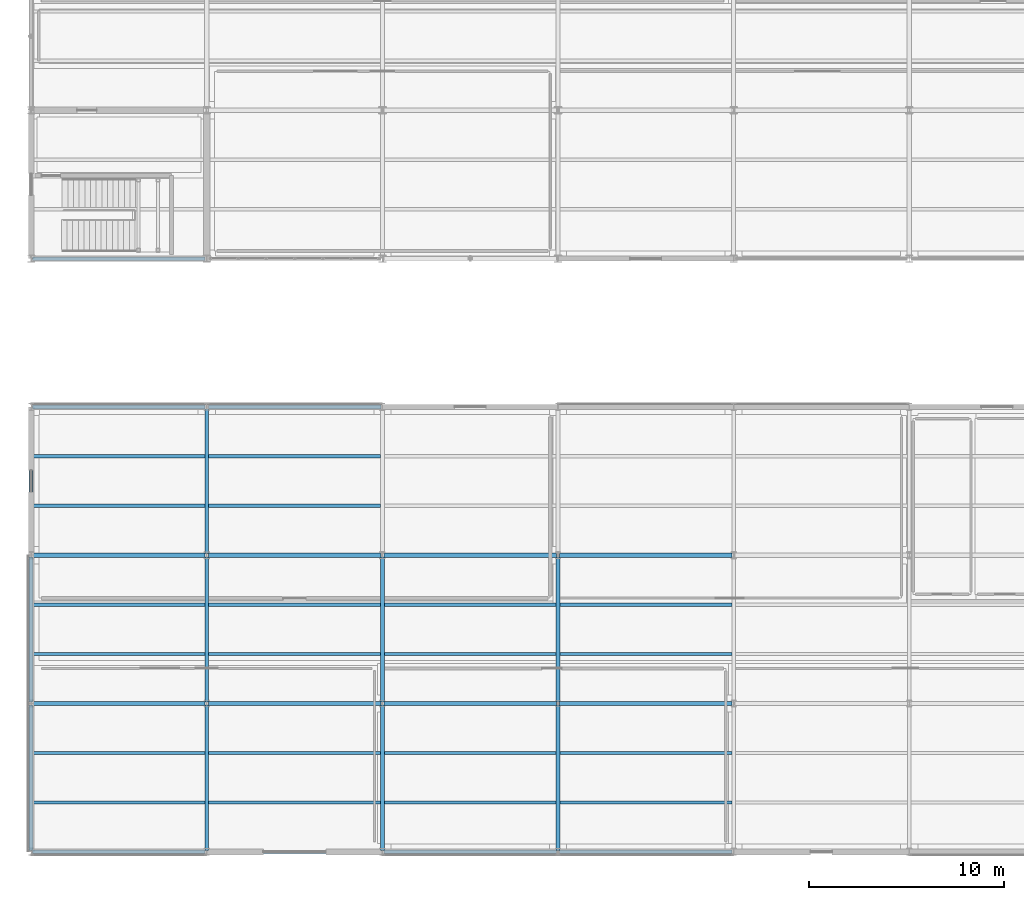
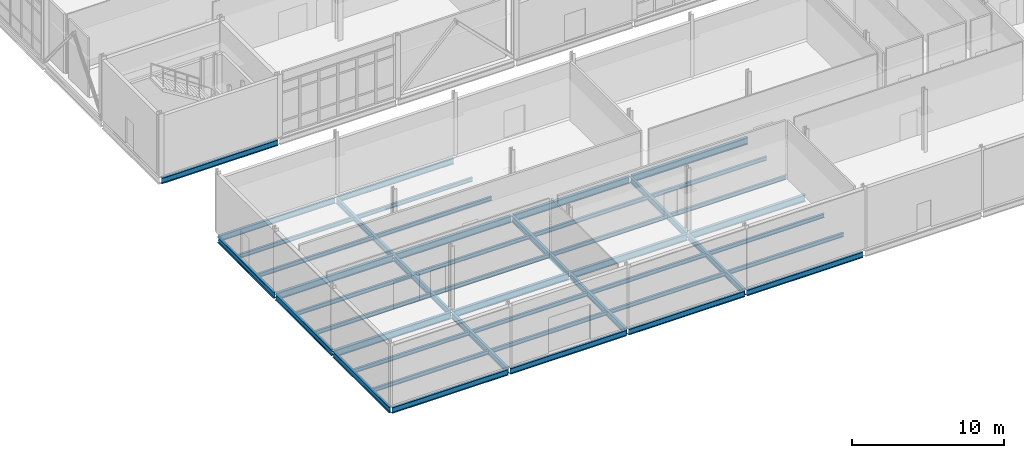
# One storey, part 31 of 161: 45 beams.
"""IFC4 building model written with IfcOpenShell, lengths in metres."""

from ifc_helpers import new_model, si_unit, direction, frame, origin, origin_2d, place, context, subcontext, project, spatial, i_section, extrude, material, material_profile, profile_set, type_object, element, save


model = new_model("IFC4")

# Units and contexts
model_context = context("Model", 3, precision=1e-05, world=origin(), true_north=direction((0.0, 1.0)))
body_context = subcontext(model_context, "Body", "Model", "MODEL_VIEW")
ifc_project = project(units=[si_unit("LENGTHUNIT", "METRE"), si_unit("AREAUNIT", "SQUARE_METRE"), si_unit("VOLUMEUNIT", "CUBIC_METRE"), si_unit("PLANEANGLEUNIT", "RADIAN"), si_unit("MASSUNIT", "GRAM", prefix="KILO")], contexts=[model_context])

# Site, building, storey
site_placement = place(None, origin())
site = spatial("IfcSite", under=ifc_project, at=site_placement, CompositionType="ELEMENT")
building_placement = place(site_placement, origin())
building = spatial("IfcBuilding", under=site, at=building_placement, Name="Caisbarro Railhouse Central Library", CompositionType="ELEMENT")
storey_placement = place(building_placement, origin())
storey = spatial("IfcBuildingStorey", under=building, at=storey_placement, Name="L00", CompositionType="ELEMENT", Elevation=0.0)

# Beams
ifc_material = material(Name="Steel ASTM A572 Grade 50", Category="steel")
ifc_material_profile_1 = material_profile(ifc_material, i_section(OverallWidth=0.2119140625, OverallDepth=0.5439453125, WebThickness=0.01318359375, FlangeThickness=0.021240234375, FilletRadius=0.02001953125, at=origin_2d()), Name="W530X123.0")
ifc_profile_set_1 = profile_set([ifc_material_profile_1], Name="Steel ASTM A572 Grade 50")
beam_type_1 = type_object("IfcBeamType", Name="BM-G05", PredefinedType="BEAM", material=ifc_profile_set_1)
for number, where, z_axis, x_axis, name in (
    (1, (0.080078125, 7.60009765625, -0.552001953125), (1.0, 0.0, 0.0), (0.0, 1.0, 0.0), "G05 beam L00 #75"),
    (2, (9.080078125, 7.60009765625, -0.552001953125), (1.0, 0.0, 0.0), (0.0, 1.0, 0.0), "G05 beam L00 #76"),
    (3, (18.080078125, 7.60009765625, -0.552001953125), (1.0, 0.0, 0.0), (0.0, 1.0, 0.0), "G05 beam L00 #77"),
    (4, (27.080078125, 7.60009765625, -0.552001953125), (1.0, 0.0, 0.0), (0.0, 1.0, 0.0), "G05 beam L00 #78"),
    (5, (0.080078125, 15.199951171875, -0.552001953125), (1.0, 0.0, 0.0), (0.0, 1.0, 0.0), "G05 beam L00 #81"),
    (6, (9.080078125, 15.199951171875, -0.552001953125), (1.0, 0.0, 0.0), (0.0, 1.0, 0.0), "G05 beam L00 #82"),
    (7, (18.080078125, 15.199951171875, -0.552001953125), (1.0, 0.0, 0.0), (0.0, 1.0, 0.0), "G05 beam L00 #83"),
    (8, (27.080078125, 15.199951171875, -0.552001953125), (1.0, 0.0, 0.0), (0.0, 1.0, 0.0), "G05 beam L00 #84"),
):
    element("IfcBeam", number, at=place(storey_placement, frame(where, z_axis=z_axis, x_axis=x_axis)), inside=storey, type_object=beam_type_1, Name=name, PredefinedType="BEAM", context=body_context, shape_type="SweptSolid", body=[
        extrude(i_section(OverallWidth=0.2119140625, OverallDepth=0.5439453125, WebThickness=0.01318359375, FlangeThickness=0.021240234375, FilletRadius=0.02001953125, at=origin_2d()), origin(), (0.0, 0.0, 1.0), 8.83984375),
    ])
ifc_material_profile_2 = material_profile(ifc_material, i_section(OverallWidth=0.194091796875, OverallDepth=0.468994140625, WebThickness=0.0126953125, FlangeThickness=0.0205078125, FilletRadius=0.01806640625, at=origin_2d()), Name="W460X106.0")
ifc_profile_set_2 = profile_set([ifc_material_profile_2], Name="Steel ASTM A572 Grade 50")
beam_type_2 = type_object("IfcBeamType", Name="BM-G07", PredefinedType="BEAM", material=ifc_profile_set_2)
beam_1_placement = place(storey_placement, frame((0.0, 0.080078125, -0.514404296875), z_axis=(0.0, 1.0, 0.0), x_axis=(-1.0, 0.0, 0.0)))
element("IfcBeam", 9, at=beam_1_placement, inside=storey, type_object=beam_type_2, Name="G07 beam L00 #93", PredefinedType="BEAM", context=body_context, shape_type="SweptSolid", body=[
    extrude(i_section(OverallWidth=0.194091796875, OverallDepth=0.468994140625, WebThickness=0.0126953125, FlangeThickness=0.0205078125, FilletRadius=0.01806640625, at=origin_2d()), origin(), (0.0, 0.0, 1.0), 7.43994140625),
])
beam_2_placement = place(storey_placement, frame((0.0, 7.679931640625, -0.514404296875), z_axis=(0.0, 1.0, 0.0), x_axis=(-1.0, 0.0, 0.0)))
element("IfcBeam", 10, at=beam_2_placement, inside=storey, type_object=beam_type_2, Name="G07 beam L00 #94", PredefinedType="BEAM", context=body_context, shape_type="SweptSolid", body=[
    extrude(i_section(OverallWidth=0.194091796875, OverallDepth=0.468994140625, WebThickness=0.0126953125, FlangeThickness=0.0205078125, FilletRadius=0.01806640625, at=origin_2d()), origin(), (0.0, 0.0, 1.0), 7.440185546875),
])
for number, where, z_axis, x_axis, name in (
    (11, (0.0, 15.280029296875, -0.514404296875), (0.0, 1.0, 0.0), (-1.0, 0.0, 0.0), "G07 beam L00 #95"),
    (12, (9.0, 0.080078125, -0.514404296875), (0.0, 1.0, 0.0), (-1.0, 0.0, 0.0), "G07 beam L00 #96"),
):
    element("IfcBeam", number, at=place(storey_placement, frame(where, z_axis=z_axis, x_axis=x_axis)), inside=storey, type_object=beam_type_2, Name=name, PredefinedType="BEAM", context=body_context, shape_type="SweptSolid", body=[
        extrude(i_section(OverallWidth=0.194091796875, OverallDepth=0.468994140625, WebThickness=0.0126953125, FlangeThickness=0.0205078125, FilletRadius=0.01806640625, at=origin_2d()), origin(), (0.0, 0.0, 1.0), 7.43994140625),
    ])
beam_3_placement = place(storey_placement, frame((9.0, 7.679931640625, -0.514404296875), z_axis=(0.0, 1.0, 0.0), x_axis=(-1.0, 0.0, 0.0)))
element("IfcBeam", 13, at=beam_3_placement, inside=storey, type_object=beam_type_2, Name="G07 beam L00 #97", PredefinedType="BEAM", context=body_context, shape_type="SweptSolid", body=[
    extrude(i_section(OverallWidth=0.194091796875, OverallDepth=0.468994140625, WebThickness=0.0126953125, FlangeThickness=0.0205078125, FilletRadius=0.01806640625, at=origin_2d()), origin(), (0.0, 0.0, 1.0), 7.440185546875),
])
for number, where, z_axis, x_axis, name in (
    (14, (9.0, 15.280029296875, -0.514404296875), (0.0, 1.0, 0.0), (-1.0, 0.0, 0.0), "G07 beam L00 #98"),
    (15, (18.0, 0.080078125, -0.514404296875), (0.0, 1.0, 0.0), (-1.0, 0.0, 0.0), "G07 beam L00 #99"),
):
    element("IfcBeam", number, at=place(storey_placement, frame(where, z_axis=z_axis, x_axis=x_axis)), inside=storey, type_object=beam_type_2, Name=name, PredefinedType="BEAM", context=body_context, shape_type="SweptSolid", body=[
        extrude(i_section(OverallWidth=0.194091796875, OverallDepth=0.468994140625, WebThickness=0.0126953125, FlangeThickness=0.0205078125, FilletRadius=0.01806640625, at=origin_2d()), origin(), (0.0, 0.0, 1.0), 7.43994140625),
    ])
beam_4_placement = place(storey_placement, frame((18.0, 7.679931640625, -0.514404296875), z_axis=(0.0, 1.0, 0.0), x_axis=(-1.0, 0.0, 0.0)))
element("IfcBeam", 16, at=beam_4_placement, inside=storey, type_object=beam_type_2, Name="G07 beam L00 #100", PredefinedType="BEAM", context=body_context, shape_type="SweptSolid", body=[
    extrude(i_section(OverallWidth=0.194091796875, OverallDepth=0.468994140625, WebThickness=0.0126953125, FlangeThickness=0.0205078125, FilletRadius=0.01806640625, at=origin_2d()), origin(), (0.0, 0.0, 1.0), 7.440185546875),
])
beam_5_placement = place(storey_placement, frame((27.0, 0.080078125, -0.514404296875), z_axis=(0.0, 1.0, 0.0), x_axis=(-1.0, 0.0, 0.0)))
element("IfcBeam", 17, at=beam_5_placement, inside=storey, type_object=beam_type_2, Name="G07 beam L00 #102", PredefinedType="BEAM", context=body_context, shape_type="SweptSolid", body=[
    extrude(i_section(OverallWidth=0.194091796875, OverallDepth=0.468994140625, WebThickness=0.0126953125, FlangeThickness=0.0205078125, FilletRadius=0.01806640625, at=origin_2d()), origin(), (0.0, 0.0, 1.0), 7.43994140625),
])
beam_6_placement = place(storey_placement, frame((27.0, 7.679931640625, -0.514404296875), z_axis=(0.0, 1.0, 0.0), x_axis=(-1.0, 0.0, 0.0)))
element("IfcBeam", 18, at=beam_6_placement, inside=storey, type_object=beam_type_2, Name="G07 beam L00 #103", PredefinedType="BEAM", context=body_context, shape_type="SweptSolid", body=[
    extrude(i_section(OverallWidth=0.194091796875, OverallDepth=0.468994140625, WebThickness=0.0126953125, FlangeThickness=0.0205078125, FilletRadius=0.01806640625, at=origin_2d()), origin(), (0.0, 0.0, 1.0), 7.440185546875),
])
ifc_material_profile_3 = material_profile(ifc_material, i_section(OverallWidth=0.1669921875, OverallDepth=0.31689453125, WebThickness=0.007568359375, FlangeThickness=0.01318359375, FilletRadius=0.011962890625, at=origin_2d()), Name="W310X52.0")
ifc_profile_set_3 = profile_set([ifc_material_profile_3], Name="Steel ASTM A572 Grade 50")
beam_type_3 = type_object("IfcBeamType", Name="BM-J02", PredefinedType="JOIST", material=ifc_profile_set_3)
for number, where, z_axis, x_axis, name in (
    (19, (0.096923828125, 2.533203125, -0.4384765625), (1.0, 0.0, 0.0), (0.0, 1.0, 0.0), "J02 beam L00 #114"),
    (20, (0.096923828125, 5.066650390625, -0.4384765625), (1.0, 0.0, 0.0), (0.0, 1.0, 0.0), "J02 beam L00 #115"),
    (21, (0.096923828125, 10.13330078125, -0.4384765625), (1.0, 0.0, 0.0), (0.0, 1.0, 0.0), "J02 beam L00 #116"),
    (22, (0.096923828125, 12.666748046875, -0.4384765625), (1.0, 0.0, 0.0), (0.0, 1.0, 0.0), "J02 beam L00 #117"),
    (23, (0.096923828125, 17.7333984375, -0.4384765625), (1.0, 0.0, 0.0), (0.0, 1.0, 0.0), "J02 beam L00 #118"),
    (24, (0.096923828125, 20.2666015625, -0.4384765625), (1.0, 0.0, 0.0), (0.0, 1.0, 0.0), "J02 beam L00 #119"),
    (25, (9.096923828125, 2.533203125, -0.4384765625), (1.0, 0.0, 0.0), (0.0, 1.0, 0.0), "J02 beam L00 #120"),
    (26, (9.096923828125, 5.066650390625, -0.4384765625), (1.0, 0.0, 0.0), (0.0, 1.0, 0.0), "J02 beam L00 #121"),
    (27, (9.096923828125, 10.13330078125, -0.4384765625), (1.0, 0.0, 0.0), (0.0, 1.0, 0.0), "J02 beam L00 #122"),
    (28, (9.096923828125, 12.666748046875, -0.4384765625), (1.0, 0.0, 0.0), (0.0, 1.0, 0.0), "J02 beam L00 #123"),
    (29, (9.096923828125, 17.7333984375, -0.4384765625), (1.0, 0.0, 0.0), (0.0, 1.0, 0.0), "J02 beam L00 #124"),
    (30, (9.096923828125, 20.2666015625, -0.4384765625), (1.0, 0.0, 0.0), (0.0, 1.0, 0.0), "J02 beam L00 #125"),
    (31, (18.096923828125, 2.533203125, -0.4384765625), (1.0, 0.0, 0.0), (0.0, 1.0, 0.0), "J02 beam L00 #126"),
    (32, (18.096923828125, 5.066650390625, -0.4384765625), (1.0, 0.0, 0.0), (0.0, 1.0, 0.0), "J02 beam L00 #127"),
    (33, (18.096923828125, 10.13330078125, -0.4384765625), (1.0, 0.0, 0.0), (0.0, 1.0, 0.0), "J02 beam L00 #128"),
    (34, (18.096923828125, 12.666748046875, -0.4384765625), (1.0, 0.0, 0.0), (0.0, 1.0, 0.0), "J02 beam L00 #129"),
    (35, (27.096923828125, 2.533203125, -0.4384765625), (1.0, 0.0, 0.0), (0.0, 1.0, 0.0), "J02 beam L00 #132"),
    (36, (27.096923828125, 5.066650390625, -0.4384765625), (1.0, 0.0, 0.0), (0.0, 1.0, 0.0), "J02 beam L00 #133"),
    (37, (27.096923828125, 10.13330078125, -0.4384765625), (1.0, 0.0, 0.0), (0.0, 1.0, 0.0), "J02 beam L00 #134"),
    (38, (27.096923828125, 12.666748046875, -0.4384765625), (1.0, 0.0, 0.0), (0.0, 1.0, 0.0), "J02 beam L00 #135"),
):
    element("IfcBeam", number, at=place(storey_placement, frame(where, z_axis=z_axis, x_axis=x_axis)), inside=storey, type_object=beam_type_3, Name=name, PredefinedType="JOIST", context=body_context, shape_type="SweptSolid", body=[
        extrude(i_section(OverallWidth=0.1669921875, OverallDepth=0.31689453125, WebThickness=0.007568359375, FlangeThickness=0.01318359375, FilletRadius=0.011962890625, at=origin_2d()), origin(), (0.0, 0.0, 1.0), 8.80615234375),
    ])
ifc_material_profile_4 = material_profile(ifc_material, i_section(OverallWidth=0.18994140625, OverallDepth=0.45703125, WebThickness=0.009033203125, FlangeThickness=0.014404296875, FilletRadius=0.01806640625, at=origin_2d()), Name="W460X74.0")
ifc_profile_set_4 = profile_set([ifc_material_profile_4], Name="Steel ASTM A572 Grade 50")
beam_type_4 = type_object("IfcBeamType", Name="BM-SP01", PredefinedType="SPANDREL", material=ifc_profile_set_4)
for number, where, z_axis, x_axis, name in (
    (39, (0.080078125, 0.0, -0.508544921875), (1.0, 0.0, 0.0), (0.0, 1.0, 0.0), "SP01 beam L00 #69"),
    (40, (9.080078125, 0.0, -0.508544921875), (1.0, 0.0, 0.0), (0.0, 1.0, 0.0), "SP01 beam L00 #70"),
    (41, (18.080078125, 0.0, -0.508544921875), (1.0, 0.0, 0.0), (0.0, 1.0, 0.0), "SP01 beam L00 #71"),
    (42, (27.080078125, 0.0, -0.508544921875), (1.0, 0.0, 0.0), (0.0, 1.0, 0.0), "SP01 beam L00 #72"),
    (43, (0.080078125, 22.800048828125, -0.508544921875), (1.0, 0.0, 0.0), (0.0, 1.0, 0.0), "SP01 beam L00 #87"),
    (44, (9.080078125, 22.800048828125, -0.508544921875), (1.0, 0.0, 0.0), (0.0, 1.0, 0.0), "SP01 beam L00 #88"),
    (45, (0.080078125, 30.39990234375, -0.478515625), (1.0, 0.0, 0.0), (0.0, 1.0, 0.0), "SP01 beam L00 #245"),
):
    element("IfcBeam", number, at=place(storey_placement, frame(where, z_axis=z_axis, x_axis=x_axis)), inside=storey, type_object=beam_type_4, Name=name, PredefinedType="SPANDREL", context=body_context, shape_type="SweptSolid", body=[
        extrude(i_section(OverallWidth=0.18994140625, OverallDepth=0.45703125, WebThickness=0.009033203125, FlangeThickness=0.014404296875, FilletRadius=0.01806640625, at=origin_2d()), origin(), (0.0, 0.0, 1.0), 8.83984375),
    ])

save(model, "model.ifc")
